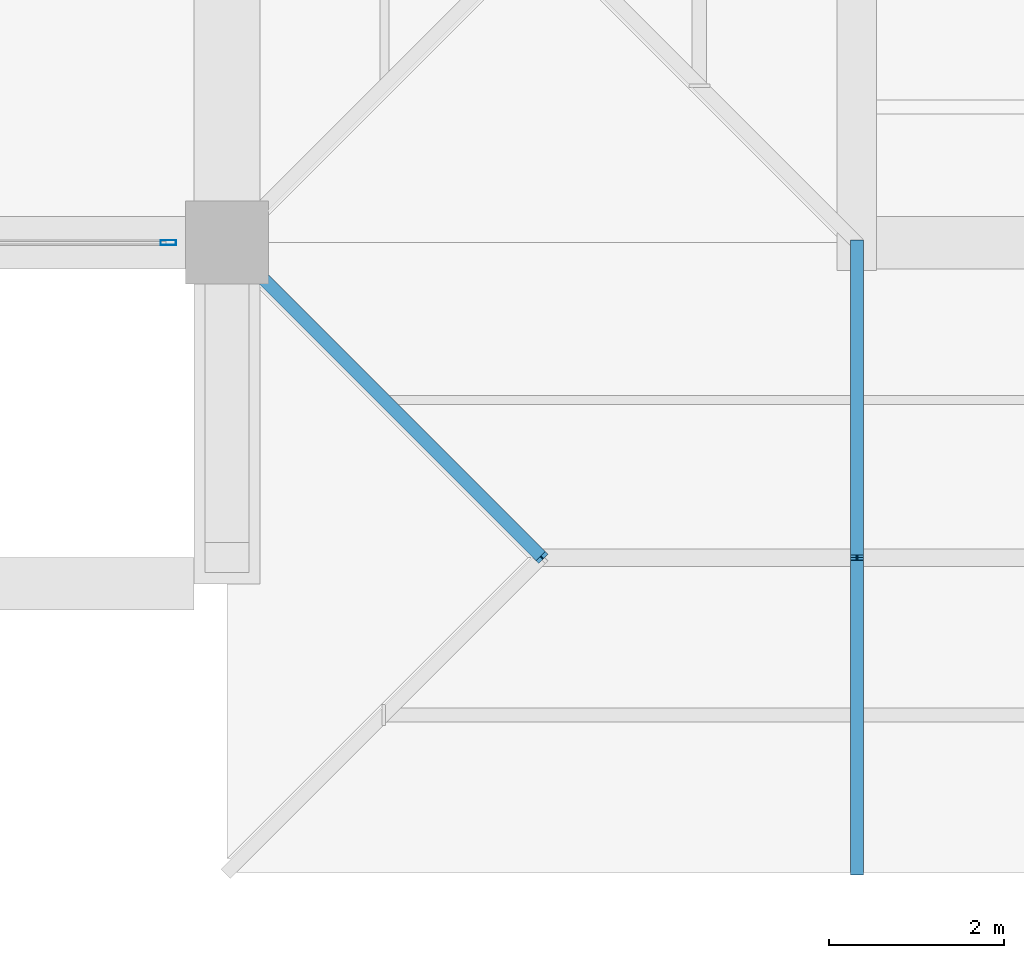
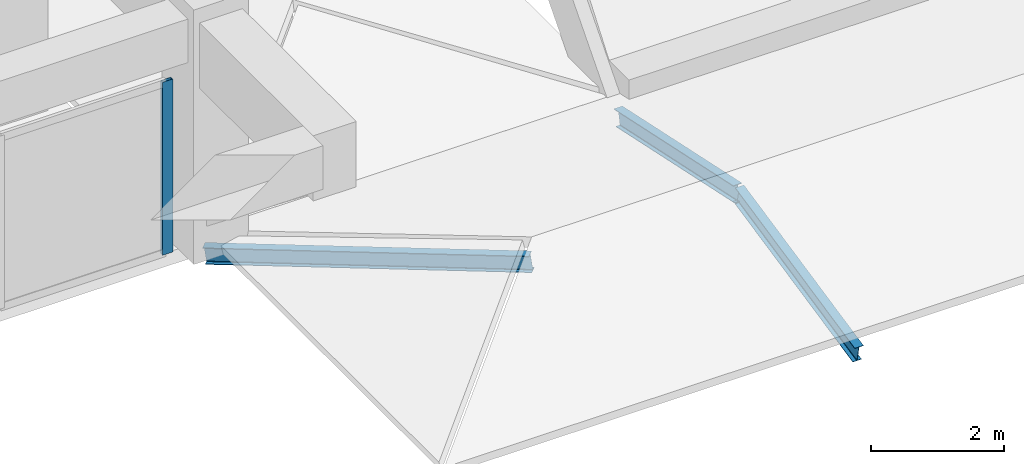
# One storey, part 18 of 54: 4 members, 1 element without a shape of its own.
"""IFC4 building model written with IfcOpenShell, lengths in metres."""

from ifc_helpers import new_model, si_unit, direction, frame, origin, origin_2d, place, context, subcontext, project, spatial, hollow_rectangle, i_section, extrude, material, material_profile, profile_set, type_object, element, aggregate, save


model = new_model("IFC4")

# Units and contexts
model_context = context("Model", 3, precision=1e-05, world=origin(), true_north=direction((0.0, 1.0)))
body_context = subcontext(model_context, "Body", "Model", "MODEL_VIEW")
ifc_project = project(units=[si_unit("LENGTHUNIT", "METRE"), si_unit("AREAUNIT", "SQUARE_METRE"), si_unit("VOLUMEUNIT", "CUBIC_METRE"), si_unit("PLANEANGLEUNIT", "RADIAN"), si_unit("MASSUNIT", "GRAM", prefix="KILO")], contexts=[model_context])

# Site, building, storey
site_placement = place(None, origin())
site = spatial("IfcSite", under=ifc_project, at=site_placement, CompositionType="ELEMENT")
building_placement = place(site_placement, origin())
building = spatial("IfcBuilding", under=site, at=building_placement, Name="Kazehaya Institute of Natural Sciences", CompositionType="ELEMENT")
storey_placement = place(building_placement, frame((0.0, 0.0, 10.43994140625)))
storey = spatial("IfcBuildingStorey", under=building, at=storey_placement, Name="L02", CompositionType="ELEMENT", Elevation=10.43994140625)

# Curtain wall, member
ifc_material_1 = material(Name="Aluminium alloy A6063S-T5", Category="aluminium")
curtain_wall_type = type_object("IfcCurtainWallType", Name="CW-SYS-03", PredefinedType="NOTDEFINED", material=ifc_material_1)
curtain_wall_placement = place(storey_placement, origin())
curtain_wall = element("IfcCurtainWall", 1, at=curtain_wall_placement, inside=storey, type_object=curtain_wall_type, Name="L02 unitised curtain wall CW-L02-048", PredefinedType="NOTDEFINED")
ifc_material_profile_1 = material_profile(ifc_material_1, hollow_rectangle(XDim=0.06005859375, YDim=0.179931640625, WallThickness=0.00390625, at=origin_2d()), Name="ALU-60x180x4")
ifc_profile_set_1 = profile_set([ifc_material_profile_1], Name="Aluminium alloy A6063S-T5")
member_type_1 = type_object("IfcMemberType", Name="CWM-180", PredefinedType="MULLION", material=ifc_profile_set_1)
member_1_placement = place(storey_placement, frame((118.72998046875, 14.0, 0.0), z_axis=(0.0, 0.0, 1.0), x_axis=(0.0, -1.0, 0.0)))
member_1 = element("IfcMember", 2, at=member_1_placement, type_object=member_type_1, Name="CW03 mullion 1", PredefinedType="MULLION", context=body_context, shape_type="SweptSolid", body=[
    extrude(hollow_rectangle(XDim=0.06005859375, YDim=0.179931640625, WallThickness=0.00390625, at=origin_2d()), origin(), (0.0, 0.0, 1.0), 3.18017578125),
])
aggregate(curtain_wall, [member_1])

# Members
ifc_material_2 = material(Name="Structural steel SN490B", Category="steel")
ifc_material_profile_2 = material_profile(ifc_material_2, i_section(OverallWidth=0.14990234375, OverallDepth=0.300048828125, WebThickness=0.006591796875, FlangeThickness=0.009033203125, FilletRadius=0.012939453125, at=origin_2d()), Name="H-300x150x6.5x9")
ifc_profile_set_2 = profile_set([ifc_material_profile_2], Name="Structural steel SN490B")
member_type_2 = type_object("IfcMemberType", Name="MEM-RAF-H300", PredefinedType="RAFTER", material=ifc_profile_set_2)
member_2_placement = place(storey_placement, frame((119.39990234375, 14.0, -0.25), z_axis=(0.699195307823, -0.699195307823, 0.149170516643), x_axis=(0.707106781187, 0.707106781187, 0.0)))
element("IfcMember", 3, at=member_2_placement, inside=storey, type_object=member_type_2, Name="ROOF-VOL1-FOYER corner hip rafter NW", PredefinedType="RAFTER", context=body_context, shape_type="SweptSolid", body=[
    extrude(i_section(OverallWidth=0.14990234375, OverallDepth=0.300048828125, WebThickness=0.006591796875, FlangeThickness=0.009033203125, FilletRadius=0.012939453125, at=origin_2d()), origin(), (0.0, 0.0, 1.0), 5.14892578125),
])
member_3_placement = place(storey_placement, frame((126.60009765625, 6.800048828125, -0.25), z_axis=(0.0, 0.97798742259, 0.208663847505), x_axis=(-1.0, 0.0, 0.0)))
element("IfcMember", 4, at=member_3_placement, inside=storey, type_object=member_type_2, Name="ROOF-VOL1-FOYER roof truss rafter 17", PredefinedType="RAFTER", context=body_context, shape_type="SweptSolid", body=[
    extrude(i_section(OverallWidth=0.14990234375, OverallDepth=0.300048828125, WebThickness=0.006591796875, FlangeThickness=0.009033203125, FilletRadius=0.012939453125, at=origin_2d()), origin(), (0.0, 0.0, 1.0), 3.680908203125),
])
member_4_placement = place(storey_placement, frame((126.60009765625, 14.0, -0.25), z_axis=(0.0, -0.977990310214, 0.20865031303), x_axis=(1.0, 0.0, 0.0)))
element("IfcMember", 5, at=member_4_placement, inside=storey, type_object=member_type_2, Name="ROOF-VOL1-FOYER roof truss rafter 18", PredefinedType="RAFTER", context=body_context, shape_type="SweptSolid", body=[
    extrude(i_section(OverallWidth=0.14990234375, OverallDepth=0.300048828125, WebThickness=0.006591796875, FlangeThickness=0.009033203125, FilletRadius=0.012939453125, at=origin_2d()), origin(), (0.0, 0.0, 1.0), 3.68115234375),
])

save(model, "model.ifc")
